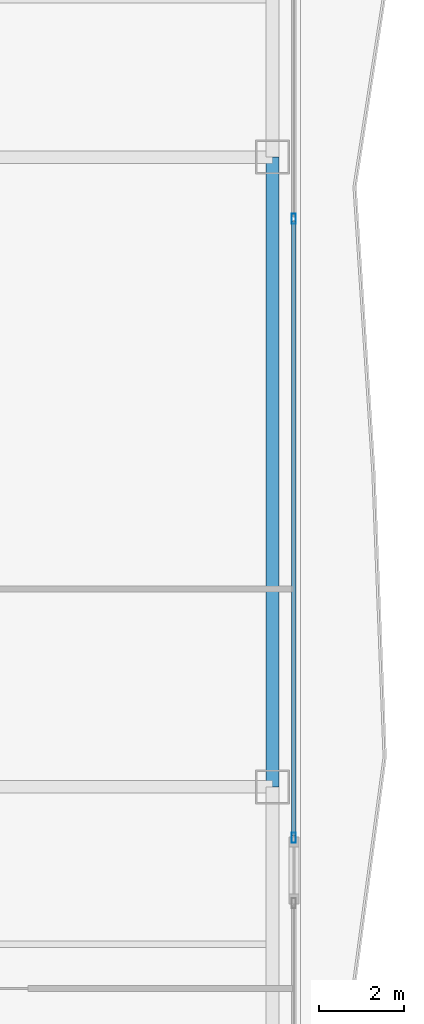
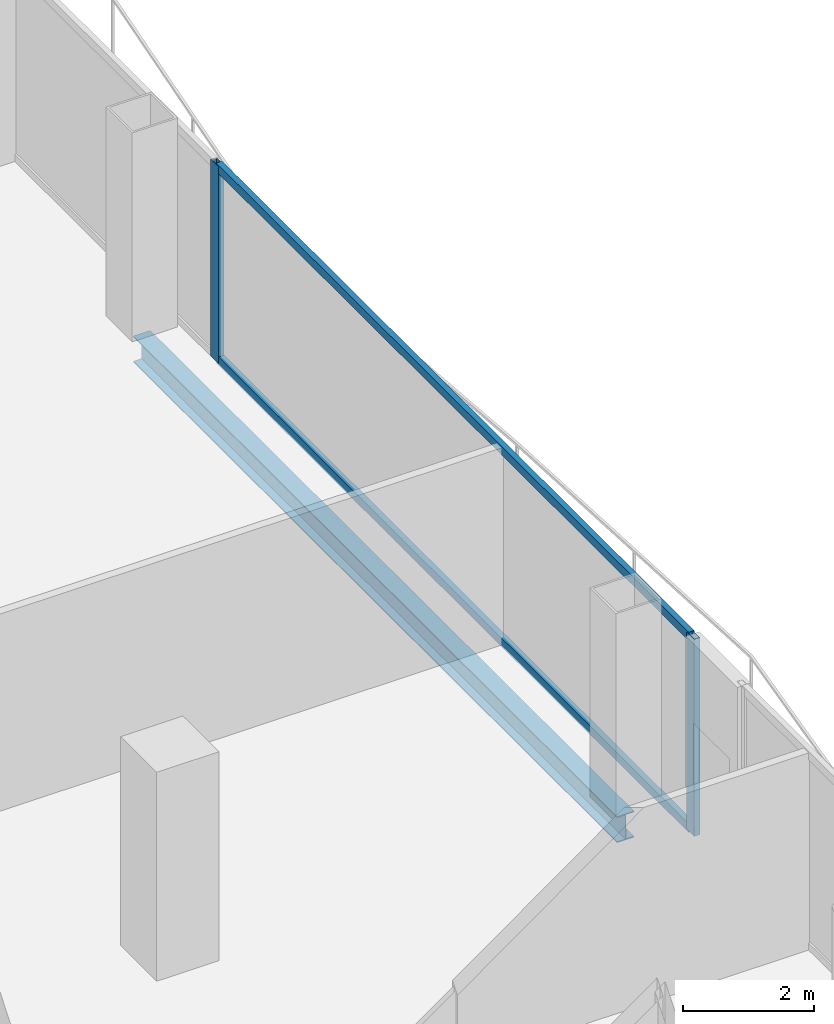
# One storey, part 12 of 27: 4 members, 1 beam, 1 element without a shape of its own.
"""IFC4 building model written with IfcOpenShell, lengths in metres."""

from ifc_helpers import new_model, si_unit, direction, frame, origin, origin_2d, place, context, subcontext, project, spatial, hollow_rectangle, i_section, extrude, material, layer, layer_set, material_profile, profile_set, type_object, element, aggregate, save


model = new_model("IFC4")

# Units and contexts
model_context = context("Model", 3, precision=1e-05, world=origin(), true_north=direction((0.0, 1.0)))
body_context = subcontext(model_context, "Body", "Model", "MODEL_VIEW")
ifc_project = project(units=[si_unit("LENGTHUNIT", "METRE"), si_unit("AREAUNIT", "SQUARE_METRE"), si_unit("VOLUMEUNIT", "CUBIC_METRE"), si_unit("PLANEANGLEUNIT", "RADIAN"), si_unit("MASSUNIT", "GRAM", prefix="KILO")], contexts=[model_context])

# Site, building, storey
site_placement = place(None, origin())
site = spatial("IfcSite", under=ifc_project, at=site_placement, CompositionType="ELEMENT")
building_placement = place(site_placement, origin())
building = spatial("IfcBuilding", under=site, at=building_placement, Name="Khorvyn Point Tower", CompositionType="ELEMENT")
storey_placement = place(building_placement, frame((0.0, 0.0, 46.199951171875)))
storey = spatial("IfcBuildingStorey", under=building, at=storey_placement, Name="L12", CompositionType="ELEMENT", Elevation=46.199951171875)

# Curtain wall, members
ifc_material_1 = material(Name="Anodised aluminium 6063-T6 and laminated Low-E glass", Category="aluminium")
ifc_layer = layer(ifc_material_1, 0.18994140625)
ifc_layer_set = layer_set([ifc_layer], Name="Stick-Built Finned Residential Curtain Wall CW-SYS-02")
curtain_wall_type = type_object("IfcCurtainWallType", Name="Stick-Built Finned Residential Curtain Wall CW-SYS-02", PredefinedType="NOTDEFINED", material=ifc_layer_set)
curtain_wall_placement = place(storey_placement, origin())
curtain_wall = element("IfcCurtainWall", 1, at=curtain_wall_placement, inside=storey, type_object=curtain_wall_type, Name="Curtain Wall", PredefinedType="NOTDEFINED")
ifc_material_2 = material(Name="Anodised aluminium 6063-T6", Category="aluminium")
ifc_material_profile_1 = material_profile(ifc_material_2, hollow_rectangle(XDim=0.10009765625, YDim=0.239990234375, WallThickness=0.0048828125, at=origin_2d()))
ifc_profile_set_1 = profile_set([ifc_material_profile_1], Name="Anodised aluminium 6063-T6 ALU-MUL-100x240")
member_type_1 = type_object("IfcMemberType", Name="Anodised Aluminium 6063-T6 Mullion ALU-MUL-100x240", PredefinedType="MULLION", material=ifc_profile_set_1)
member_1_placement = place(storey_placement, frame((27.949951171875, 5.951416015625, 0.0), z_axis=(0.0, 0.0, 1.0), x_axis=(1.0, 0.0, 0.0)))
member_1 = element("IfcMember", 2, at=member_1_placement, type_object=member_type_1, Name="Transom", PredefinedType="MULLION", context=body_context, shape_type="SweptSolid", body=[
    extrude(hollow_rectangle(XDim=0.10009765625, YDim=0.239990234375, WallThickness=0.0048828125, at=origin_2d()), origin(), (0.0, 0.0, 1.0), 3.679931640625),
])
member_2_placement = place(storey_placement, frame((27.949951171875, -8.596923828125, 0.0), z_axis=(0.0, 0.0, 1.0), x_axis=(1.0, 0.0, 0.0)))
member_2 = element("IfcMember", 3, at=member_2_placement, type_object=member_type_1, Name="Transom", PredefinedType="MULLION", context=body_context, shape_type="SweptSolid", body=[
    extrude(hollow_rectangle(XDim=0.10009765625, YDim=0.239990234375, WallThickness=0.0048828125, at=origin_2d()), origin(), (0.0, 0.0, 1.0), 3.679931640625),
])
ifc_material_profile_2 = material_profile(ifc_material_2, hollow_rectangle(XDim=0.10009765625, YDim=0.159912109375, WallThickness=0.00439453125, at=origin_2d()))
ifc_profile_set_2 = profile_set([ifc_material_profile_2], Name="Anodised aluminium 6063-T6 ALU-TRN-100x160")
member_type_2 = type_object("IfcMemberType", Name="Anodised Aluminium 6063-T6 Transom ALU-TRN-100x160", PredefinedType="USERDEFINED", material=ifc_profile_set_2)
member_3_placement = place(storey_placement, frame((27.949951171875, 5.901611328125, 0.050048828125), z_axis=(0.0, -1.0, 0.0), x_axis=(1.0, 0.0, 0.0)))
member_3 = element("IfcMember", 4, at=member_3_placement, type_object=member_type_2, Name="Transom", ObjectType="TRANSOM", PredefinedType="USERDEFINED", context=body_context, shape_type="SweptSolid", body=[
    extrude(hollow_rectangle(XDim=0.10009765625, YDim=0.159912109375, WallThickness=0.00439453125, at=origin_2d()), origin(), (0.0, 0.0, 1.0), 14.44873046875),
])
member_4_placement = place(storey_placement, frame((27.949951171875, 5.901611328125, 3.630126953125), z_axis=(0.0, -1.0, 0.0), x_axis=(1.0, 0.0, 0.0)))
member_4 = element("IfcMember", 5, at=member_4_placement, type_object=member_type_2, Name="Transom", ObjectType="TRANSOM", PredefinedType="USERDEFINED", context=body_context, shape_type="SweptSolid", body=[
    extrude(hollow_rectangle(XDim=0.10009765625, YDim=0.159912109375, WallThickness=0.00439453125, at=origin_2d()), origin(), (0.0, 0.0, 1.0), 14.44873046875),
])
aggregate(curtain_wall, [member_1, member_2, member_3, member_4])

# Beam
ifc_material_3 = material(Name="Steel S355", Category="steel")
ifc_material_profile_3 = material_profile(ifc_material_3, i_section(OverallWidth=0.300048828125, OverallDepth=0.488037109375, WebThickness=0.010986328125, FlangeThickness=0.01806640625, at=origin_2d()))
ifc_profile_set_3 = profile_set([ifc_material_profile_3], Name="Steel S355 H488x300x11x18")
beam_type = type_object("IfcBeamType", Name="Steel S355 Spandrel H488x300x11x18", PredefinedType="SPANDREL", material=ifc_profile_set_3)
beam_placement = place(storey_placement, frame((27.449951171875, -7.39990234375, -0.4638671875), z_axis=(0.0, 1.0, 0.0), x_axis=(-1.0, 0.0, 0.0)))
element("IfcBeam", 6, at=beam_placement, inside=storey, type_object=beam_type, Name="Beam", PredefinedType="SPANDREL", context=body_context, shape_type="SweptSolid", body=[
    extrude(i_section(OverallWidth=0.300048828125, OverallDepth=0.488037109375, WebThickness=0.010986328125, FlangeThickness=0.01806640625, at=origin_2d()), origin(), (0.0, 0.0, 1.0), 14.7998046875),
])

save(model, "model.ifc")
